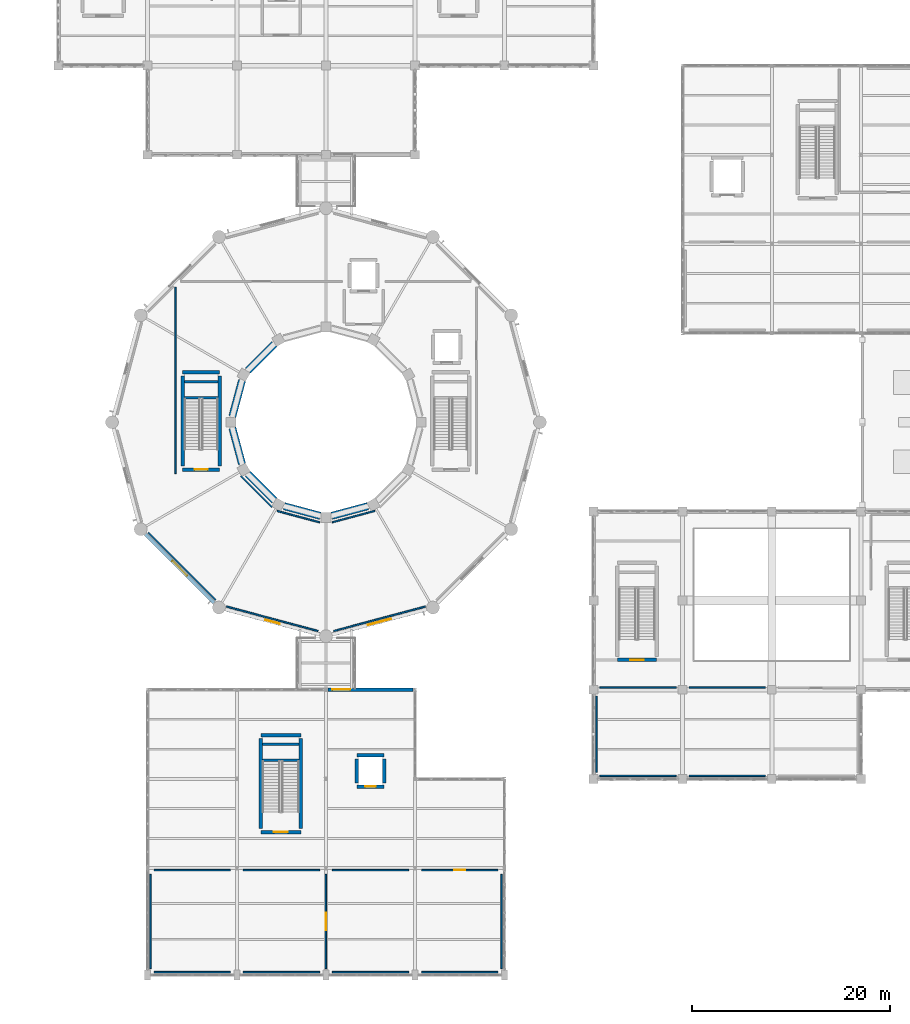
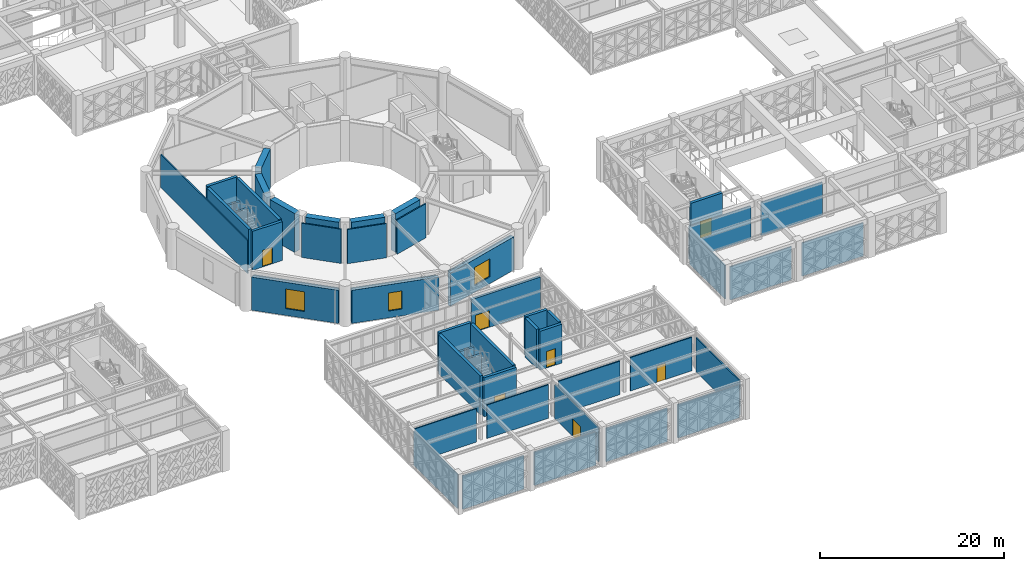
# One storey, part 133 of 155: 50 walls, 7 doors, 3 windows, 10 openings.
"""IFC4 building model written with IfcOpenShell, lengths in metres."""

import ifcopenshell
import ifcopenshell.guid

model = None  # the IFC model being written
_history = None  # IfcOwnerHistory: only IFC2X3 demands one
_inside = {}  # id of a spatial element -> (the spatial element, [elements in it])
_under = {}  # id of a project, library or spatial element -> (it, [spatial elements below it])
_declared = {}  # id of a project -> (the project, [libraries it declares])
_typed = {}  # id of a type object -> (the type object, [elements of that type])
_made_of = {}  # id of a material, layer set ... -> (it, [elements and type objects made of it])


def new_model(schema):
    """Start an empty IFC model of exactly this schema.

    Asked for "IFC4X3", IfcOpenShell would pick the latest addendum, in which some entities
    have other attributes; the version numbers below select the first issue.
    IFC2X3 requires an IfcOwnerHistory on every rooted entity: one is made here for all.
    """
    global model, _history
    if schema == "IFC4X3":
        model = ifcopenshell.file(schema_version=(4, 3, 0, 0))
    else:
        model = ifcopenshell.file(schema=schema)
    _inside.clear()
    _under.clear()
    _declared.clear()
    _typed.clear()
    _made_of.clear()
    _history = None
    if model.schema == "IFC2X3":
        org = make("IfcOrganization", Name="unknown")
        user = make(
            "IfcPersonAndOrganization",
            ThePerson=make("IfcPerson", FamilyName="unknown"),
            TheOrganization=org,
        )
        app = make(
            "IfcApplication",
            ApplicationDeveloper=org,
            Version="unknown",
            ApplicationFullName="unknown",
            ApplicationIdentifier="unknown",
        )
        _history = make(
            "IfcOwnerHistory",
            OwningUser=user,
            OwningApplication=app,
            ChangeAction="ADDED",
            CreationDate=0,
        )
    return model


def make(cls, **values):
    """One entity of the class cls with the attributes given. An attribute that is None is left unset."""
    return model.create_entity(
        cls, **{name: value for name, value in values.items() if value is not None}
    )


def rooted(cls, **values):
    """An entity with a GlobalId (a new one), such as an element, a storey or a relation."""
    return make(cls, GlobalId=ifcopenshell.guid.new(), OwnerHistory=_history, **values)


def si_unit(unit_type, name, prefix=None):
    """IfcSIUnit, for example si_unit("LENGTHUNIT", "METRE", prefix="MILLI")."""
    return make("IfcSIUnit", UnitType=unit_type, Prefix=prefix, Name=name)


def assignment(units):
    """IfcUnitAssignment: the units of a project."""
    return None if units is None else make("IfcUnitAssignment", Units=units)


def point(xyz):
    """IfcCartesianPoint."""
    return None if xyz is None else make("IfcCartesianPoint", Coordinates=xyz)


def direction(xyz):
    """IfcDirection."""
    return None if xyz is None else make("IfcDirection", DirectionRatios=xyz)


def frame(location, z_axis=None, x_axis=None):
    """IfcAxis2Placement3D, a coordinate frame: its origin and axes. An axis left out is left unset."""
    return make(
        "IfcAxis2Placement3D",
        Location=point(location),
        Axis=direction(z_axis),
        RefDirection=direction(x_axis),
    )


def frame_2d(location, x_axis=None):
    """IfcAxis2Placement2D, a coordinate frame in the plane: its origin and x axis."""
    return make(
        "IfcAxis2Placement2D", Location=point(location), RefDirection=direction(x_axis)
    )


def origin():
    """The frame at (0, 0, 0) with its axes left unset."""
    return frame((0.0, 0.0, 0.0))


def place(relative_to, where):
    """IfcLocalPlacement: puts the frame where relative to a parent placement (None: the world)."""
    return make(
        "IfcLocalPlacement", PlacementRelTo=relative_to, RelativePlacement=where
    )


def context(
    kind, dimensions, precision=None, world=None, true_north=None, identifier=None
):
    """IfcGeometricRepresentationContext, for example the 3D "Model" context."""
    return make(
        "IfcGeometricRepresentationContext",
        ContextIdentifier=identifier,
        ContextType=kind,
        CoordinateSpaceDimension=dimensions,
        Precision=precision,
        WorldCoordinateSystem=world,
        TrueNorth=true_north,
    )


def subcontext(parent, identifier, kind, view, scale=None):
    """IfcGeometricRepresentationSubContext, for example "Body" below "Model"."""
    return make(
        "IfcGeometricRepresentationSubContext",
        ContextIdentifier=identifier,
        ContextType=kind,
        ParentContext=parent,
        TargetScale=scale,
        TargetView=view,
    )


def project(units=None, contexts=None):
    """IfcProject with its units and contexts."""
    return rooted(
        "IfcProject",
        Name="project",
        RepresentationContexts=contexts,
        UnitsInContext=assignment(units),
    )


def spatial(cls, under=None, at=None, **own):
    """A site, building, storey or space (cls), placed at a placement, below another one or the project."""
    s = rooted(cls, ObjectPlacement=at, **own)
    if under is not None:
        _under.setdefault(under.id(), (under, []))[1].append(s)
    return s


def profile(cls, at=None, kind="AREA", **sizes):
    """A parametric profile (cls). Its sizes go by their IFC names, for example OverallWidth=200.0."""
    return make(cls, ProfileType=kind, Position=at, **sizes)


def rectangle(**sizes):
    """IfcRectangleProfileDef."""
    return profile("IfcRectangleProfileDef", **sizes)


def extrude(swept, where, along, depth):
    """IfcExtrudedAreaSolid: the profile swept, set in the frame where, extruded along a direction by depth."""
    return make(
        "IfcExtrudedAreaSolid",
        SweptArea=swept,
        Position=where,
        ExtrudedDirection=direction(along),
        Depth=depth,
    )


def shape(context_of_items, identifier, shape_type, items):
    """IfcShapeRepresentation: the items that make up one representation, for example the "Body"."""
    return make(
        "IfcShapeRepresentation",
        ContextOfItems=context_of_items,
        RepresentationIdentifier=identifier,
        RepresentationType=shape_type,
        Items=items,
    )


def material(Name=None, Category=None):
    """IfcMaterial."""
    return make("IfcMaterial", Name=Name, Category=Category)


def layer(
    of_material, thickness, ventilated=None, Name=None, Category=None, Priority=None
):
    """IfcMaterialLayer: one layer of a wall or slab, of a material (None: an air gap)."""
    return make(
        "IfcMaterialLayer",
        Material=of_material,
        LayerThickness=thickness,
        IsVentilated=ventilated,
        Name=Name,
        Category=Category,
        Priority=Priority,
    )


def layer_set(layers, Name=None):
    """IfcMaterialLayerSet."""
    return make("IfcMaterialLayerSet", MaterialLayers=layers, LayerSetName=Name)


def made_of(thing, what):
    """Note that an element or type object is made of a material, layer set ...; save() writes the relation."""
    if what is not None:
        _made_of.setdefault(what.id(), (what, []))[1].append(thing)
    return thing


def type_object(cls, material=None, **own):
    """A type object (cls), such as IfcWallType, which elements share."""
    return made_of(rooted(cls, **own), material)


def element(
    cls,
    number,
    at=None,
    inside=None,
    cuts=None,
    type_object=None,
    material=None,
    context=None,
    identifier="Body",
    shape_type=None,
    held_by="IfcProductDefinitionShape",
    body=None,
    shapes=None,
    **own,
):
    """One element of the class cls, such as IfcWall. Its Tag is "e" and its number.

    at: its placement. inside: the storey or other place that contains it. cuts: it is an
    opening in that element (IfcRelVoidsElement). A single representation is given by context,
    identifier, shape_type and body (its items); several are given by shapes. held_by: the class
    of the entity that holds the representations. save() writes the other relations.
    """
    e = rooted(cls, Tag="e%d" % number, ObjectPlacement=at, **own)
    if body is not None:
        shapes = [shape(context, identifier, shape_type, body)]
    if shapes is not None:
        e.Representation = make(held_by, Representations=shapes)
    if inside is not None:
        _inside.setdefault(inside.id(), (inside, []))[1].append(e)
    if cuts is not None:
        rooted(
            "IfcRelVoidsElement", RelatingBuildingElement=cuts, RelatedOpeningElement=e
        )
    if type_object is not None:
        _typed.setdefault(type_object.id(), (type_object, []))[1].append(e)
    return made_of(e, material)


def fill(opening, filler):
    """IfcRelFillsElement: the door or window that sits in an opening."""
    return rooted(
        "IfcRelFillsElement",
        RelatingOpeningElement=opening,
        RelatedBuildingElement=filler,
    )


def aggregate(whole, parts):
    """IfcRelAggregates: a whole, such as a stair, and the parts it consists of."""
    return rooted("IfcRelAggregates", RelatingObject=whole, RelatedObjects=parts)


def save(model, path):
    """Write the relations noted so far, then the file.

    IfcRelAggregates (storeys below a building ...), IfcRelContainedInSpatialStructure (elements
    in a storey), IfcRelDefinesByType, IfcRelAssociatesMaterial and IfcRelDeclares: one each for
    every whole, place, type object, material and project.
    """
    for whole, parts in _under.values():
        aggregate(whole, parts)
    for where, things in _inside.values():
        rooted(
            "IfcRelContainedInSpatialStructure",
            RelatedElements=things,
            RelatingStructure=where,
        )
    for kind, things in _typed.values():
        rooted("IfcRelDefinesByType", RelatedObjects=things, RelatingType=kind)
    for what, things in _made_of.values():
        rooted("IfcRelAssociatesMaterial", RelatedObjects=things, RelatingMaterial=what)
    for by, libraries in _declared.values():
        rooted("IfcRelDeclares", RelatingContext=by, RelatedDefinitions=libraries)
    model.write(path)


model = new_model("IFC4")

# Units and contexts
model_context = context("Model", 3, precision=1e-05, world=origin(), true_north=direction((0.0, 1.0)))
body_context = subcontext(model_context, "Body", "Model", "MODEL_VIEW")
ifc_project = project(units=[si_unit("LENGTHUNIT", "METRE"), si_unit("AREAUNIT", "SQUARE_METRE"), si_unit("VOLUMEUNIT", "CUBIC_METRE"), si_unit("PLANEANGLEUNIT", "RADIAN"), si_unit("MASSUNIT", "GRAM", prefix="KILO")], contexts=[model_context])

# Site, building, storey
site_placement = place(None, origin())
site = spatial("IfcSite", under=ifc_project, at=site_placement, CompositionType="ELEMENT")
building_placement = place(site_placement, origin())
building = spatial("IfcBuilding", under=site, at=building_placement, Name="Haizhuo Lancet Aquarium", CompositionType="ELEMENT")
storey_placement = place(building_placement, frame((0.0, 0.0, 10.800048828125)))
storey = spatial("IfcBuildingStorey", under=building, at=storey_placement, Name="L02", CompositionType="ELEMENT", Elevation=10.800048828125)

# Wall, opening, door
ifc_material_1 = material(Name="Shandong Grey Limestone Ashlar", Category="masonry")
ifc_layer_1 = layer(ifc_material_1, 0.320068359375)
ifc_layer_set_1 = layer_set([ifc_layer_1], Name="Shandong Grey Limestone Ashlar")
wall_type_1 = type_object("IfcWallType", Name="EWL-ASH-320", PredefinedType="SOLIDWALL", material=ifc_layer_set_1)
wall_1_placement = place(storey_placement, frame((0.195068359375, -27.0, 0.0), z_axis=(0.0, 0.0, 1.0), x_axis=(1.0, 0.0, 0.0)))
wall_1 = element("IfcWall", 1, at=wall_1_placement, inside=storey, type_object=wall_type_1, Name="L02 V4 sky-bridge portal wall", PredefinedType="SOLIDWALL", context=body_context, shape_type="SweptSolid", body=[
    extrude(rectangle(XDim=8.60986328125, YDim=0.320068359375, at=frame_2d((4.304931640625, 0.0))), origin(), (0.0, 0.0, 1.0), 4.447021484375),
])
opening_1_placement = place(wall_1_placement, frame((0.455078125, 0.0, 0.0)))
opening_1 = element("IfcOpeningElement", 2, at=opening_1_placement, cuts=wall_1, Name="Opening EX-01", PredefinedType="OPENING", context=body_context, shape_type="SweptSolid", body=[
    extrude(rectangle(XDim=1.800048828125, YDim=2.199951171875, at=frame_2d((0.89990234375, 1.10009765625))), frame((0.0, 0.169921875, 0.0), z_axis=(0.0, -1.0, 0.0), x_axis=(1.0, 0.0, 0.0)), (0.0, 0.0, 1.0), 0.340068),
])
ifc_material_2 = material(Name="Steel S355", Category="steel")
door_type_1 = type_object("IfcDoorType", Name="EDR-EXIT-1800x2200", OperationType="NOTDEFINED", PredefinedType="DOOR", material=ifc_material_2)
door_1_placement = place(opening_1_placement, origin())
door_1 = element("IfcDoor", 3, at=door_1_placement, inside=storey, type_object=door_type_1, Name="L02 V4 sky-bridge vestibule fire door", OperationType="DOUBLE_DOOR_SINGLE_SWING", OverallHeight=2.199951171875, OverallWidth=1.800048828125, PredefinedType="DOOR", context=body_context, shape_type="SweptSolid", body=[
    extrude(rectangle(XDim=1.800048828125, YDim=2.199951171875, at=frame_2d((0.89990234375, 1.10009765625))), frame((0.0, 0.02490234375, 0.0), z_axis=(0.0, -1.0, 0.0), x_axis=(1.0, 0.0, 0.0)), (0.0, 0.0, 1.0), 0.050048828125),
])
fill(opening_1, door_1)

# Wall, opening, window
ifc_layer_2 = layer(ifc_material_1, 0.360107421875)
ifc_layer_set_2 = layer_set([ifc_layer_2], Name="Shandong Grey Limestone Ashlar")
wall_type_2 = type_object("IfcWallType", Name="EWL-ASH-360", PredefinedType="SOLIDWALL", material=ifc_layer_set_2)
wall_2_placement = place(storey_placement, frame((-11.291015625, -18.215087890625, 0.0), z_axis=(0.0, 0.0, 1.0), x_axis=(-0.707106781187, 0.707106781187, 0.0)))
wall_2 = element("IfcWall", 4, at=wall_2_placement, inside=storey, type_object=wall_type_2, Name="L02 V1 limestone drum wall bay 8", PredefinedType="SOLIDWALL", context=body_context, shape_type="SweptSolid", body=[
    extrude(rectangle(XDim=9.792236328125, YDim=0.360107421875, at=frame_2d((4.89599609375, 0.0))), origin(), (0.0, 0.0, 1.0), 4.39501953125),
])
opening_2_placement = place(wall_2_placement, frame((3.845947265625, 0.0, 0.89990234375)))
opening_2 = element("IfcOpeningElement", 5, at=opening_2_placement, cuts=wall_2, Name="Opening WN-07", PredefinedType="OPENING", context=body_context, shape_type="SweptSolid", body=[
    extrude(rectangle(XDim=2.10009765625, YDim=2.60009765625, at=frame_2d((1.050048828125, 1.300048828125))), frame((0.0, 0.18994140625, 0.0), z_axis=(0.0, -1.0, 0.0), x_axis=(1.0, 0.0, 0.0)), (0.0, 0.0, 1.0), 0.380107),
])
ifc_material_3 = material(Name="Laminated Low-E Glass", Category="glass")
window_type_1 = type_object("IfcWindowType", Name="WIN-LAN-2100x2600", PartitioningType="SINGLE_PANEL", PredefinedType="WINDOW", material=ifc_material_3)
window_1_placement = place(opening_2_placement, origin())
window_1 = element("IfcWindow", 6, at=window_1_placement, inside=storey, type_object=window_type_1, Name="L02 Gothic lancet window 28", OverallHeight=2.60009765625, OverallWidth=2.10009765625, PartitioningType="SINGLE_PANEL", PredefinedType="WINDOW", context=body_context, shape_type="SweptSolid", body=[
    extrude(rectangle(XDim=2.10009765625, YDim=2.60009765625, at=frame_2d((1.050048828125, 1.300048828125))), frame((0.0, 0.030029296875, 0.0), z_axis=(0.0, -1.0, 0.0), x_axis=(1.0, 0.0, 0.0)), (0.0, 0.0, 1.0), 0.06005859375),
])
fill(opening_2, window_1)

wall_3_placement = place(storey_placement, frame((-0.6708984375, -21.419921875, 0.0), z_axis=(0.0, 0.0, 1.0), x_axis=(-0.965934251614, 0.258787599316, 0.0)))
wall_3 = element("IfcWall", 7, at=wall_3_placement, inside=storey, type_object=wall_type_2, Name="L02 V1 limestone drum wall bay 9", PredefinedType="SOLIDWALL", context=body_context, shape_type="SweptSolid", body=[
    extrude(rectangle(XDim=9.79150390625, YDim=0.360107421875, at=frame_2d((4.895751953125, 0.0))), origin(), (0.0, 0.0, 1.0), 4.39501953125),
])
opening_3_placement = place(wall_3_placement, frame((4.14599609375, 0.0, 0.89990234375)))
opening_3 = element("IfcOpeningElement", 8, at=opening_3_placement, cuts=wall_3, Name="Opening WN-04", PredefinedType="OPENING", context=body_context, shape_type="SweptSolid", body=[
    extrude(rectangle(XDim=1.5, YDim=2.39990234375, at=frame_2d((0.75, 1.199951171875))), frame((0.0, 0.18994140625, 0.0), z_axis=(0.0, -1.0, 0.0), x_axis=(1.0, 0.0, 0.0)), (0.0, 0.0, 1.0), 0.380107),
])
window_type_2 = type_object("IfcWindowType", Name="WIN-LAN-1500x2400", PartitioningType="SINGLE_PANEL", PredefinedType="WINDOW", material=ifc_material_3)
window_2_placement = place(opening_3_placement, origin())
window_2 = element("IfcWindow", 9, at=window_2_placement, inside=storey, type_object=window_type_2, Name="L02 Gothic lancet window 29", OverallHeight=2.39990234375, OverallWidth=1.5, PartitioningType="SINGLE_PANEL", PredefinedType="WINDOW", context=body_context, shape_type="SweptSolid", body=[
    extrude(rectangle(XDim=1.5, YDim=2.39990234375, at=frame_2d((0.75, 1.199951171875))), frame((0.0, 0.030029296875, 0.0), z_axis=(0.0, -1.0, 0.0), x_axis=(1.0, 0.0, 0.0)), (0.0, 0.0, 1.0), 0.06005859375),
])
fill(opening_3, window_2)

wall_4_placement = place(storey_placement, frame((10.12890625, -18.885986328125, 0.0), z_axis=(0.0, 0.0, 1.0), x_axis=(-0.965934251614, -0.258787599316, 0.0)))
wall_4 = element("IfcWall", 10, at=wall_4_placement, inside=storey, type_object=wall_type_2, Name="L02 V1 limestone drum wall bay 10", PredefinedType="SOLIDWALL", context=body_context, shape_type="SweptSolid", body=[
    extrude(rectangle(XDim=9.79150390625, YDim=0.360107421875, at=frame_2d((4.895751953125, 0.0))), origin(), (0.0, 0.0, 1.0), 4.39501953125),
])
opening_4_placement = place(wall_4_placement, frame((3.696044921875, 0.0, 0.89990234375)))
opening_4 = element("IfcOpeningElement", 11, at=opening_4_placement, cuts=wall_4, Name="Opening WN-08", PredefinedType="OPENING", context=body_context, shape_type="SweptSolid", body=[
    extrude(rectangle(XDim=2.39990234375, YDim=2.39990234375, at=frame_2d((1.199951171875, 1.199951171875))), frame((0.0, 0.18994140625, 0.0), z_axis=(0.0, -1.0, 0.0), x_axis=(1.0, 0.0, 0.0)), (0.0, 0.0, 1.0), 0.380107),
])
window_type_3 = type_object("IfcWindowType", Name="WIN-LAN-2400x2400", PartitioningType="SINGLE_PANEL", PredefinedType="WINDOW", material=ifc_material_3)
window_3_placement = place(opening_4_placement, origin())
window_3 = element("IfcWindow", 12, at=window_3_placement, inside=storey, type_object=window_type_3, Name="L02 Gothic lancet window 30", OverallHeight=2.39990234375, OverallWidth=2.39990234375, PartitioningType="SINGLE_PANEL", PredefinedType="WINDOW", context=body_context, shape_type="SweptSolid", body=[
    extrude(rectangle(XDim=2.39990234375, YDim=2.39990234375, at=frame_2d((1.199951171875, 1.199951171875))), frame((0.0, 0.030029296875, 0.0), z_axis=(0.0, -1.0, 0.0), x_axis=(1.0, 0.0, 0.0)), (0.0, 0.0, 1.0), 0.06005859375),
])
fill(opening_4, window_3)

# Walls
ifc_material_4 = material(Name="Gypsum Fireboard Partition")
ifc_layer_3 = layer(ifc_material_4, 0.14990234375)
ifc_layer_set_3 = layer_set([ifc_layer_3], Name="Gypsum Fireboard Partition")
wall_type_3 = type_object("IfcWallType", Name="IWL-STD-150", PredefinedType="PARTITIONING", material=ifc_layer_set_3)
wall_5_placement = place(storey_placement, frame((-17.946044921875, -11.135009765625, 0.0), z_axis=(0.0, 0.0, 1.0), x_axis=(0.707056083443, -0.707157475295, 0.0)))
element("IfcWall", 13, at=wall_5_placement, inside=storey, type_object=wall_type_3, Name="L02 partition wall 349", PredefinedType="PARTITIONING", context=body_context, shape_type="SweptSolid", body=[
    extrude(rectangle(XDim=9.631591796875, YDim=0.14990234375, at=frame_2d((4.81591796875, 0.0))), origin(), (0.0, 0.0, 1.0), 4.39501953125),
])
wall_6_placement = place(storey_placement, frame((-10.0400390625, -18.59912109375, 0.0), z_axis=(0.0, 0.0, 1.0), x_axis=(0.965936310931, -0.258779912716, 0.0)))
element("IfcWall", 14, at=wall_6_placement, inside=storey, type_object=wall_type_3, Name="L02 partition wall 350", PredefinedType="PARTITIONING", context=body_context, shape_type="SweptSolid", body=[
    extrude(rectangle(XDim=9.559814453125, YDim=0.14990234375, at=frame_2d((4.77978515625, 0.0))), origin(), (0.0, 0.0, 1.0), 4.39501953125),
])
wall_7_placement = place(storey_placement, frame((0.787109375, -21.076904296875, 0.0), z_axis=(0.0, 0.0, 1.0), x_axis=(0.965965793981, 0.258669837549, 0.0)))
element("IfcWall", 15, at=wall_7_placement, inside=storey, type_object=wall_type_3, Name="L02 partition wall 351", PredefinedType="PARTITIONING", context=body_context, shape_type="SweptSolid", body=[
    extrude(rectangle(XDim=9.578857421875, YDim=0.14990234375, at=frame_2d((4.78955078125, 0.0))), origin(), (0.0, 0.0, 1.0), 4.39501953125),
])
for number, where, z_axis, x_axis, name in (
    (16, (4.922119140625, -8.9541015625, 0.0), (0.0, 0.0, 1.0), (-0.965895929323, -0.258930596333, 0.0), "L02 partition wall 358"),
    (17, (-0.639892578125, -10.10205078125, 0.0), (0.0, 0.0, 1.0), (-0.965895929323, 0.258930596333, 0.0), "L02 partition wall 359"),
):
    element("IfcWall", number, at=place(storey_placement, frame(where, z_axis=z_axis, x_axis=x_axis)), inside=storey, type_object=wall_type_3, Name=name, PredefinedType="PARTITIONING", context=body_context, shape_type="SweptSolid", body=[
        extrude(rectangle(XDim=4.433349609375, YDim=0.14990234375, at=frame_2d((2.216796875, 0.0))), origin(), (0.0, 0.0, 1.0), 4.544921875),
    ])
wall_8_placement = place(storey_placement, frame((-5.43994140625, -8.593017578125, 0.0), z_axis=(0.0, 0.0, 1.0), x_axis=(-0.707106781187, 0.707106781187, 0.0)))
element("IfcWall", 18, at=wall_8_placement, inside=storey, type_object=wall_type_3, Name="L02 partition wall 360", PredefinedType="PARTITIONING", context=body_context, shape_type="SweptSolid", body=[
    extrude(rectangle(XDim=4.459228515625, YDim=0.14990234375, at=frame_2d((2.2294921875, 0.0))), origin(), (0.0, 0.0, 1.0), 4.544921875),
])
wall_9_placement = place(storey_placement, frame((-15.199951171875, -5.199951171875, 0.0), z_axis=(0.0, 0.0, 1.0), x_axis=(0.0, 1.0, 0.0)))
element("IfcWall", 19, at=wall_9_placement, inside=storey, type_object=wall_type_3, Name="L02 partition wall 361", PredefinedType="PARTITIONING", context=body_context, shape_type="SweptSolid", body=[
    extrude(rectangle(XDim=18.83984375, YDim=0.14990234375, at=frame_2d((9.419921875, 0.0))), origin(), (0.0, 0.0, 1.0), 4.39501953125),
])
wall_10_placement = place(storey_placement, frame((27.300048828125, -27.64990234375, 0.0), z_axis=(0.0, 0.0, 1.0), x_axis=(0.0, -1.0, 0.0)))
element("IfcWall", 20, at=wall_10_placement, inside=storey, type_object=wall_type_3, Name="L02 partition wall 376", PredefinedType="PARTITIONING", context=body_context, shape_type="SweptSolid", body=[
    extrude(rectangle(XDim=7.7001953125, YDim=0.14990234375, at=frame_2d((3.85009765625, 0.0))), origin(), (0.0, 0.0, 1.0), 4.445068359375),
])
wall_11_placement = place(storey_placement, frame((27.639892578125, -35.696044921875, 0.0), z_axis=(0.0, 0.0, 1.0), x_axis=(0.999999871661, -0.00050663367, 0.0)))
element("IfcWall", 21, at=wall_11_placement, inside=storey, type_object=wall_type_3, Name="L02 partition wall 377", PredefinedType="PARTITIONING", context=body_context, shape_type="SweptSolid", body=[
    extrude(rectangle(XDim=7.710205078125, YDim=0.14990234375, at=frame_2d((3.85498046875, 0.0))), origin(), (0.0, 0.0, 1.0), 4.39501953125),
])
wall_12_placement = place(storey_placement, frame((36.64990234375, -35.699951171875, 0.0), z_axis=(0.0, 0.0, 1.0), x_axis=(1.0, 0.0, 0.0)))
element("IfcWall", 22, at=wall_12_placement, inside=storey, type_object=wall_type_3, Name="L02 partition wall 378", PredefinedType="PARTITIONING", context=body_context, shape_type="SweptSolid", body=[
    extrude(rectangle(XDim=7.7001953125, YDim=0.14990234375, at=frame_2d((3.85009765625, 0.0))), origin(), (0.0, 0.0, 1.0), 4.39501953125),
])
for number, where, z_axis, x_axis, name in (
    (23, (44.360107421875, -26.800048828125, 0.0), (0.0, 0.0, 1.0), (-1.0, 0.0, 0.0), "L02 partition wall 382"),
    (24, (35.360107421875, -26.800048828125, 0.0), (0.0, 0.0, 1.0), (-1.0, 0.0, 0.0), "L02 partition wall 383"),
):
    element("IfcWall", number, at=place(storey_placement, frame(where, z_axis=z_axis, x_axis=x_axis)), inside=storey, type_object=wall_type_3, Name=name, PredefinedType="PARTITIONING", context=body_context, shape_type="SweptSolid", body=[
        extrude(rectangle(XDim=7.710205078125, YDim=0.14990234375, at=frame_2d((3.85498046875, 0.0))), origin(), (0.0, 0.0, 1.0), 4.39501953125),
    ])
for number, where, z_axis, x_axis, name in (
    (25, (-17.35009765625, -55.5, 0.0), (0.0, 0.0, 1.0), (1.0, 0.0, 0.0), "L02 partition wall 384"),
    (26, (-8.35009765625, -55.5, 0.0), (0.0, 0.0, 1.0), (1.0, 0.0, 0.0), "L02 partition wall 385"),
):
    element("IfcWall", number, at=place(storey_placement, frame(where, z_axis=z_axis, x_axis=x_axis)), inside=storey, type_object=wall_type_3, Name=name, PredefinedType="PARTITIONING", context=body_context, shape_type="SweptSolid", body=[
        extrude(rectangle(XDim=7.7001953125, YDim=0.14990234375, at=frame_2d((3.85009765625, 0.0))), origin(), (0.0, 0.0, 1.0), 4.447021484375),
    ])

# Wall, opening, door
wall_13_placement = place(storey_placement, frame((0.0, -55.14990234375, 0.0), z_axis=(0.0, 0.0, 1.0), x_axis=(0.0, 1.0, 0.0)))
wall_13 = element("IfcWall", 27, at=wall_13_placement, inside=storey, type_object=wall_type_3, Name="L02 partition wall 386", PredefinedType="PARTITIONING", context=body_context, shape_type="SweptSolid", body=[
    extrude(rectangle(XDim=9.5, YDim=0.14990234375, at=frame_2d((4.75, 0.0))), origin(), (0.0, 0.0, 1.0), 4.534912109375),
])
opening_5_placement = place(wall_13_placement, frame((3.85009765625, 0.0, 0.0)))
opening_5 = element("IfcOpeningElement", 28, at=opening_5_placement, cuts=wall_13, Name="Opening D-02", PredefinedType="OPENING", context=body_context, shape_type="SweptSolid", body=[
    extrude(rectangle(XDim=1.800048828125, YDim=2.300048828125, at=frame_2d((0.89990234375, 1.14990234375))), frame((0.0, 0.0849609375, 0.0), z_axis=(0.0, -1.0, 0.0), x_axis=(1.0, 0.0, 0.0)), (0.0, 0.0, 1.0), 0.169902),
])
ifc_material_5 = material(Name="Aluminium 6063-T6", Category="aluminium")
door_type_2 = type_object("IfcDoorType", Name="IDR-GAL-1800x2300", OperationType="NOTDEFINED", PredefinedType="DOOR", material=ifc_material_5)
door_2_placement = place(opening_5_placement, origin())
door_2 = element("IfcDoor", 29, at=door_2_placement, inside=storey, type_object=door_type_2, Name="L02 Estuarine Canopy Exhibit Gallery door", OperationType="DOUBLE_DOOR_SINGLE_SWING", OverallHeight=2.300048828125, OverallWidth=1.800048828125, PredefinedType="DOOR", context=body_context, shape_type="SweptSolid", body=[
    extrude(rectangle(XDim=1.800048828125, YDim=2.300048828125, at=frame_2d((0.89990234375, 1.14990234375))), frame((0.0, 0.02490234375, 0.0), z_axis=(0.0, -1.0, 0.0), x_axis=(1.0, 0.0, 0.0)), (0.0, 0.0, 1.0), 0.050048828125),
])
fill(opening_5, door_2)

# Walls
for number, where, z_axis, x_axis, name in (
    (30, (-0.64990234375, -45.199951171875, 0.0), (0.0, 0.0, 1.0), (-1.0, 0.0, 0.0), "L02 partition wall 387"),
    (31, (-9.64990234375, -45.199951171875, 0.0), (0.0, 0.0, 1.0), (-1.0, 0.0, 0.0), "L02 partition wall 388"),
):
    element("IfcWall", number, at=place(storey_placement, frame(where, z_axis=z_axis, x_axis=x_axis)), inside=storey, type_object=wall_type_3, Name=name, PredefinedType="PARTITIONING", context=body_context, shape_type="SweptSolid", body=[
        extrude(rectangle(XDim=7.7001953125, YDim=0.14990234375, at=frame_2d((3.85009765625, 0.0))), origin(), (0.0, 0.0, 1.0), 4.447021484375),
    ])
wall_14_placement = place(storey_placement, frame((-17.699951171875, -45.64990234375, 0.0), z_axis=(0.0, 0.0, 1.0), x_axis=(0.0, -1.0, 0.0)))
element("IfcWall", 32, at=wall_14_placement, inside=storey, type_object=wall_type_3, Name="L02 partition wall 389", PredefinedType="PARTITIONING", context=body_context, shape_type="SweptSolid", body=[
    extrude(rectangle(XDim=9.5, YDim=0.14990234375, at=frame_2d((4.75, 0.0))), origin(), (0.0, 0.0, 1.0), 4.534912109375),
])
for number, where, z_axis, x_axis, name in (
    (33, (0.64990234375, -55.5, 0.0), (0.0, 0.0, 1.0), (1.0, 0.0, 0.0), "L02 partition wall 390"),
    (34, (9.64990234375, -55.5, 0.0), (0.0, 0.0, 1.0), (1.0, 0.0, 0.0), "L02 partition wall 391"),
):
    element("IfcWall", number, at=place(storey_placement, frame(where, z_axis=z_axis, x_axis=x_axis)), inside=storey, type_object=wall_type_3, Name=name, PredefinedType="PARTITIONING", context=body_context, shape_type="SweptSolid", body=[
        extrude(rectangle(XDim=7.7001953125, YDim=0.14990234375, at=frame_2d((3.85009765625, 0.0))), origin(), (0.0, 0.0, 1.0), 4.447021484375),
    ])
wall_15_placement = place(storey_placement, frame((17.699951171875, -55.14990234375, 0.0), z_axis=(0.0, 0.0, 1.0), x_axis=(0.0, 1.0, 0.0)))
element("IfcWall", 35, at=wall_15_placement, inside=storey, type_object=wall_type_3, Name="L02 partition wall 392", PredefinedType="PARTITIONING", context=body_context, shape_type="SweptSolid", body=[
    extrude(rectangle(XDim=9.5, YDim=0.14990234375, at=frame_2d((4.75, 0.0))), origin(), (0.0, 0.0, 1.0), 4.534912109375),
])

# Wall, opening, door
wall_16_placement = place(storey_placement, frame((17.35009765625, -45.199951171875, 0.0), z_axis=(0.0, 0.0, 1.0), x_axis=(-1.0, 0.0, 0.0)))
wall_16 = element("IfcWall", 36, at=wall_16_placement, inside=storey, type_object=wall_type_3, Name="L02 partition wall 393", PredefinedType="PARTITIONING", context=body_context, shape_type="SweptSolid", body=[
    extrude(rectangle(XDim=7.7001953125, YDim=0.14990234375, at=frame_2d((3.85009765625, 0.0))), origin(), (0.0, 0.0, 1.0), 4.447021484375),
])
opening_6_placement = place(wall_16_placement, frame((3.300048828125, 0.0, 0.0)))
opening_6 = element("IfcOpeningElement", 37, at=opening_6_placement, cuts=wall_16, Name="Opening D-05", PredefinedType="OPENING", context=body_context, shape_type="SweptSolid", body=[
    extrude(rectangle(XDim=1.10009765625, YDim=2.14990234375, at=frame_2d((0.550048828125, 1.074951171875))), frame((0.0, 0.0849609375, 0.0), z_axis=(0.0, -1.0, 0.0), x_axis=(1.0, 0.0, 0.0)), (0.0, 0.0, 1.0), 0.169902),
])
door_type_3 = type_object("IfcDoorType", Name="IDR-CLS-1100x2150", OperationType="NOTDEFINED", PredefinedType="DOOR", material=ifc_material_5)
door_3_placement = place(opening_6_placement, origin())
door_3 = element("IfcDoor", 38, at=door_3_placement, inside=storey, type_object=door_type_3, Name="L02 Marine Conservation Reading Lounge door", OperationType="SINGLE_SWING_LEFT", OverallHeight=2.14990234375, OverallWidth=1.10009765625, PredefinedType="DOOR", context=body_context, shape_type="SweptSolid", body=[
    extrude(rectangle(XDim=1.10009765625, YDim=2.14990234375, at=frame_2d((0.550048828125, 1.074951171875))), frame((0.0, 0.02490234375, 0.0), z_axis=(0.0, -1.0, 0.0), x_axis=(1.0, 0.0, 0.0)), (0.0, 0.0, 1.0), 0.050048828125),
])
fill(opening_6, door_3)

# Walls
wall_17_placement = place(storey_placement, frame((8.35009765625, -45.199951171875, 0.0), z_axis=(0.0, 0.0, 1.0), x_axis=(-1.0, 0.0, 0.0)))
element("IfcWall", 39, at=wall_17_placement, inside=storey, type_object=wall_type_3, Name="L02 partition wall 394", PredefinedType="PARTITIONING", context=body_context, shape_type="SweptSolid", body=[
    extrude(rectangle(XDim=7.7001953125, YDim=0.14990234375, at=frame_2d((3.85009765625, 0.0))), origin(), (0.0, 0.0, 1.0), 4.447021484375),
])
ifc_material_6 = material(Name="Concrete C40/50", Category="concrete")
ifc_layer_4 = layer(ifc_material_6, 0.35009765625)
ifc_layer_set_4 = layer_set([ifc_layer_4], Name="Concrete C40/50")
wall_type_4 = type_object("IfcWallType", Name="WL-CORE-350", PredefinedType="SHEAR", material=ifc_layer_set_4)
for number, where, z_axis, x_axis, name in (
    (40, (-14.300048828125, 2.47509765625, 0.0), (0.0, 0.0, 1.0), (1.0, 0.0, 0.0), "L02 ST-01 landing support wall"),
    (41, (-14.300048828125, 4.074951171875, 0.0), (0.0, 0.0, 1.0), (1.0, 0.0, 0.0), "L02 ST-01 far landing support wall"),
):
    element("IfcWall", number, at=place(storey_placement, frame(where, z_axis=z_axis, x_axis=x_axis)), inside=storey, type_object=wall_type_4, Name=name, PredefinedType="SHEAR", context=body_context, shape_type="SweptSolid", body=[
        extrude(rectangle(XDim=3.400146484375, YDim=0.25, at=frame_2d((1.7001953125, 0.0))), origin(), (0.0, 0.0, 1.0), 2.5),
    ])

# Wall, opening, door
wall_18_placement = place(storey_placement, frame((-14.47509765625, -4.77490234375, 0.0), z_axis=(0.0, 0.0, 1.0), x_axis=(1.0, 0.0, 0.0)))
wall_18 = element("IfcWall", 42, at=wall_18_placement, inside=storey, type_object=wall_type_4, Name="L02 ST-01 core shear wall S", PredefinedType="SHEAR", context=body_context, shape_type="SweptSolid", body=[
    extrude(rectangle(XDim=3.75, YDim=0.35009765625, at=frame_2d((1.875, 0.0))), origin(), (0.0, 0.0, 1.0), 5.159912109375),
])
opening_7_placement = place(wall_18_placement, frame((1.22509765625, 0.0, 0.0)))
opening_7 = element("IfcOpeningElement", 43, at=opening_7_placement, cuts=wall_18, Name="Opening FD-02", PredefinedType="OPENING", context=body_context, shape_type="SweptSolid", body=[
    extrude(rectangle(XDim=1.300048828125, YDim=2.199951171875, at=frame_2d((0.64990234375, 1.10009765625))), frame((0.0, 0.18505859375, 0.0), z_axis=(0.0, -1.0, 0.0), x_axis=(1.0, 0.0, 0.0)), (0.0, 0.0, 1.0), 0.370098),
])
door_type_4 = type_object("IfcDoorType", Name="IDR-STAIR-1300x2200", OperationType="NOTDEFINED", PredefinedType="DOOR", material=ifc_material_2)
door_4_placement = place(opening_7_placement, origin())
door_4 = element("IfcDoor", 44, at=door_4_placement, inside=storey, type_object=door_type_4, Name="L02 ST-01 stairwell fire door", OperationType="SINGLE_SWING_RIGHT", OverallHeight=2.199951171875, OverallWidth=1.300048828125, PredefinedType="DOOR", context=body_context, shape_type="SweptSolid", body=[
    extrude(rectangle(XDim=1.300048828125, YDim=2.199951171875, at=frame_2d((0.64990234375, 1.10009765625))), frame((0.0, 0.02490234375, 0.0), z_axis=(0.0, -1.0, 0.0), x_axis=(1.0, 0.0, 0.0)), (0.0, 0.0, 1.0), 0.050048828125),
])
fill(opening_7, door_4)

# Walls
wall_19_placement = place(storey_placement, frame((-14.47509765625, 5.02490234375, 0.0), z_axis=(0.0, 0.0, 1.0), x_axis=(1.0, 0.0, 0.0)))
element("IfcWall", 45, at=wall_19_placement, inside=storey, type_object=wall_type_4, Name="L02 ST-01 core shear wall N", PredefinedType="SHEAR", context=body_context, shape_type="SweptSolid", body=[
    extrude(rectangle(XDim=3.75, YDim=0.35009765625, at=frame_2d((1.875, 0.0))), origin(), (0.0, 0.0, 1.0), 5.159912109375),
])
for number, where, z_axis, x_axis, name in (
    (46, (-14.47509765625, -4.425048828125, 0.0), (0.0, 0.0, 1.0), (0.0, 1.0, 0.0), "L02 ST-01 core shear wall W"),
    (47, (-10.72509765625, -4.425048828125, 0.0), (0.0, 0.0, 1.0), (0.0, 1.0, 0.0), "L02 ST-01 core shear wall E"),
):
    element("IfcWall", number, at=place(storey_placement, frame(where, z_axis=z_axis, x_axis=x_axis)), inside=storey, type_object=wall_type_4, Name=name, PredefinedType="SHEAR", context=body_context, shape_type="SweptSolid", body=[
        extrude(rectangle(XDim=9.10009765625, YDim=0.35009765625, at=frame_2d((4.550048828125, 0.0))), origin(), (0.0, 0.0, 1.0), 5.159912109375),
    ])

# Wall, opening, door
wall_20_placement = place(storey_placement, frame((29.425048828125, -23.97509765625, 0.0), z_axis=(0.0, 0.0, 1.0), x_axis=(1.0, 0.0, 0.0)))
wall_20 = element("IfcWall", 48, at=wall_20_placement, inside=storey, type_object=wall_type_4, Name="L02 ST-04 core shear wall S", PredefinedType="SHEAR", context=body_context, shape_type="SweptSolid", body=[
    extrude(rectangle(XDim=3.949951171875, YDim=0.35009765625, at=frame_2d((1.97509765625, 0.0))), origin(), (0.0, 0.0, 1.0), 5.159912109375),
])
opening_8_placement = place(wall_20_placement, frame((1.27490234375, 0.0, 0.0)))
opening_8 = element("IfcOpeningElement", 49, at=opening_8_placement, cuts=wall_20, Name="Opening FD-01", PredefinedType="OPENING", context=body_context, shape_type="SweptSolid", body=[
    extrude(rectangle(XDim=1.39990234375, YDim=2.199951171875, at=frame_2d((0.699951171875, 1.10009765625))), frame((0.0, 0.18505859375, 0.0), z_axis=(0.0, -1.0, 0.0), x_axis=(1.0, 0.0, 0.0)), (0.0, 0.0, 1.0), 0.370098),
])
door_type_5 = type_object("IfcDoorType", Name="IDR-STAIR-1400x2200", OperationType="NOTDEFINED", PredefinedType="DOOR", material=ifc_material_2)
door_5_placement = place(opening_8_placement, origin())
door_5 = element("IfcDoor", 50, at=door_5_placement, inside=storey, type_object=door_type_5, Name="L02 ST-04 stairwell fire door", OperationType="SINGLE_SWING_LEFT", OverallHeight=2.199951171875, OverallWidth=1.39990234375, PredefinedType="DOOR", context=body_context, shape_type="SweptSolid", body=[
    extrude(rectangle(XDim=1.39990234375, YDim=2.199951171875, at=frame_2d((0.699951171875, 1.10009765625))), frame((0.0, 0.02490234375, 0.0), z_axis=(0.0, -1.0, 0.0), x_axis=(1.0, 0.0, 0.0)), (0.0, 0.0, 1.0), 0.050048828125),
])
fill(opening_8, door_5)

# Walls
for number, where, z_axis, x_axis, name in (
    (51, (-6.39990234375, -34.125, 0.0), (0.0, 0.0, 1.0), (1.0, 0.0, 0.0), "L02 ST-06 landing support wall"),
    (52, (-6.39990234375, -32.52490234375, 0.0), (0.0, 0.0, 1.0), (1.0, 0.0, 0.0), "L02 ST-06 far landing support wall"),
):
    element("IfcWall", number, at=place(storey_placement, frame(where, z_axis=z_axis, x_axis=x_axis)), inside=storey, type_object=wall_type_4, Name=name, PredefinedType="SHEAR", context=body_context, shape_type="SweptSolid", body=[
        extrude(rectangle(XDim=3.699951171875, YDim=0.25, at=frame_2d((1.85009765625, 0.0))), origin(), (0.0, 0.0, 1.0), 2.5),
    ])

# Wall, opening, door
wall_21_placement = place(storey_placement, frame((-6.574951171875, -41.375, 0.0), z_axis=(0.0, 0.0, 1.0), x_axis=(1.0, 0.0, 0.0)))
wall_21 = element("IfcWall", 53, at=wall_21_placement, inside=storey, type_object=wall_type_4, Name="L02 ST-06 core shear wall S", PredefinedType="SHEAR", context=body_context, shape_type="SweptSolid", body=[
    extrude(rectangle(XDim=4.050048828125, YDim=0.35009765625, at=frame_2d((2.02490234375, 0.0))), origin(), (0.0, 0.0, 1.0), 5.159912109375),
])
opening_9_placement = place(wall_21_placement, frame((1.324951171875, 0.0, 0.0)))
opening_9 = element("IfcOpeningElement", 54, at=opening_9_placement, cuts=wall_21, Name="Opening FD-01", PredefinedType="OPENING", context=body_context, shape_type="SweptSolid", body=[
    extrude(rectangle(XDim=1.39990234375, YDim=2.199951171875, at=frame_2d((0.699951171875, 1.10009765625))), frame((0.0, 0.18505859375, 0.0), z_axis=(0.0, -1.0, 0.0), x_axis=(1.0, 0.0, 0.0)), (0.0, 0.0, 1.0), 0.370098),
])
door_6_placement = place(opening_9_placement, origin())
door_6 = element("IfcDoor", 55, at=door_6_placement, inside=storey, type_object=door_type_5, Name="L02 ST-06 stairwell fire door", OperationType="SINGLE_SWING_LEFT", OverallHeight=2.199951171875, OverallWidth=1.39990234375, PredefinedType="DOOR", context=body_context, shape_type="SweptSolid", body=[
    extrude(rectangle(XDim=1.39990234375, YDim=2.199951171875, at=frame_2d((0.699951171875, 1.10009765625))), frame((0.0, 0.02490234375, 0.0), z_axis=(0.0, -1.0, 0.0), x_axis=(1.0, 0.0, 0.0)), (0.0, 0.0, 1.0), 0.050048828125),
])
fill(opening_9, door_6)

# Walls
wall_22_placement = place(storey_placement, frame((-6.574951171875, -31.574951171875, 0.0), z_axis=(0.0, 0.0, 1.0), x_axis=(1.0, 0.0, 0.0)))
element("IfcWall", 56, at=wall_22_placement, inside=storey, type_object=wall_type_4, Name="L02 ST-06 core shear wall N", PredefinedType="SHEAR", context=body_context, shape_type="SweptSolid", body=[
    extrude(rectangle(XDim=4.050048828125, YDim=0.35009765625, at=frame_2d((2.02490234375, 0.0))), origin(), (0.0, 0.0, 1.0), 5.159912109375),
])
for number, where, z_axis, x_axis, name in (
    (57, (-6.574951171875, -41.02490234375, 0.0), (0.0, 0.0, 1.0), (0.0, 1.0, 0.0), "L02 ST-06 core shear wall W"),
    (58, (-2.52490234375, -41.02490234375, 0.0), (0.0, 0.0, 1.0), (0.0, 1.0, 0.0), "L02 ST-06 core shear wall E"),
):
    element("IfcWall", number, at=place(storey_placement, frame(where, z_axis=z_axis, x_axis=x_axis)), inside=storey, type_object=wall_type_4, Name=name, PredefinedType="SHEAR", context=body_context, shape_type="SweptSolid", body=[
        extrude(rectangle(XDim=9.099853515625, YDim=0.35009765625, at=frame_2d((4.5498046875, 0.0))), origin(), (0.0, 0.0, 1.0), 5.159912109375),
    ])

# Wall, opening, door
wall_23_placement = place(storey_placement, frame((3.125, -36.77490234375, 0.0), z_axis=(0.0, 0.0, 1.0), x_axis=(1.0, 0.0, 0.0)))
wall_23 = element("IfcWall", 59, at=wall_23_placement, inside=storey, type_object=wall_type_4, Name="L02 LP-03 lift shaft wall -Y", PredefinedType="SHEAR", context=body_context, shape_type="SweptSolid", body=[
    extrude(rectangle(XDim=2.75, YDim=0.35009765625, at=frame_2d((1.375, 0.0))), origin(), (0.0, 0.0, 1.0), 5.159912109375),
])
opening_10_placement = place(wall_23_placement, frame((0.824951171875, 0.0, 0.0)))
opening_10 = element("IfcOpeningElement", 60, at=opening_10_placement, cuts=wall_23, Name="Opening LD-01", PredefinedType="OPENING", context=body_context, shape_type="SweptSolid", body=[
    extrude(rectangle(XDim=1.10009765625, YDim=2.199951171875, at=frame_2d((0.550048828125, 1.10009765625))), frame((0.0, 0.18505859375, 0.0), z_axis=(0.0, -1.0, 0.0), x_axis=(1.0, 0.0, 0.0)), (0.0, 0.0, 1.0), 0.370098),
])
door_type_6 = type_object("IfcDoorType", Name="IDR-LIFT-1100x2200", OperationType="NOTDEFINED", PredefinedType="DOOR", material=ifc_material_2)
door_7_placement = place(opening_10_placement, origin())
door_7 = element("IfcDoor", 61, at=door_7_placement, inside=storey, type_object=door_type_6, Name="L02 LP-03 sliding lift landing door", OperationType="DOUBLE_DOOR_SLIDING", OverallHeight=2.199951171875, OverallWidth=1.10009765625, PredefinedType="DOOR", context=body_context, shape_type="SweptSolid", body=[
    extrude(rectangle(XDim=1.10009765625, YDim=2.199951171875, at=frame_2d((0.550048828125, 1.10009765625))), frame((0.0, 0.02490234375, 0.0), z_axis=(0.0, -1.0, 0.0), x_axis=(1.0, 0.0, 0.0)), (0.0, 0.0, 1.0), 0.050048828125),
])
fill(opening_10, door_7)

# Walls
wall_24_placement = place(storey_placement, frame((5.875, -33.625, 0.0), z_axis=(0.0, 0.0, 1.0), x_axis=(-1.0, 0.0, 0.0)))
element("IfcWall", 62, at=wall_24_placement, inside=storey, type_object=wall_type_4, Name="L02 LP-03 lift shaft wall +Y", PredefinedType="SHEAR", context=body_context, shape_type="SweptSolid", body=[
    extrude(rectangle(XDim=2.75, YDim=0.35009765625, at=frame_2d((1.375, 0.0))), origin(), (0.0, 0.0, 1.0), 5.159912109375),
])
for number, where, z_axis, x_axis, name in (
    (63, (3.125, -36.425048828125, 0.0), (0.0, 0.0, 1.0), (0.0, 1.0, 0.0), "L02 LP-03 lift shaft wall -X"),
    (64, (5.875, -36.425048828125, 0.0), (0.0, 0.0, 1.0), (0.0, 1.0, 0.0), "L02 LP-03 lift shaft wall +X"),
):
    element("IfcWall", number, at=place(storey_placement, frame(where, z_axis=z_axis, x_axis=x_axis)), inside=storey, type_object=wall_type_4, Name=name, PredefinedType="SHEAR", context=body_context, shape_type="SweptSolid", body=[
        extrude(rectangle(XDim=2.449951171875, YDim=0.35009765625, at=frame_2d((1.22509765625, 0.0))), origin(), (0.0, 0.0, 1.0), 5.159912109375),
    ])
ifc_material_7 = material(Name="Concrete C45/55", Category="concrete")
ifc_layer_5 = layer(ifc_material_7, 0.75)
ifc_layer_set_5 = layer_set([ifc_layer_5], Name="Concrete C45/55")
wall_type_5 = type_object("IfcWallType", Name="WL-TANK-750", PredefinedType="SHEAR", material=ifc_layer_set_5)
wall_25_placement = place(storey_placement, frame((-5.22412109375, 7.889892578125, 0.0), z_axis=(0.0, 0.0, 1.0), x_axis=(-0.707106781187, -0.707106781187, 0.0)))
element("IfcWall", 65, at=wall_25_placement, inside=storey, type_object=wall_type_5, Name="L02 Pelagic Ocean Tank hydrostatic wall chord 5", PredefinedType="SHEAR", context=body_context, shape_type="SweptSolid", body=[
    extrude(rectangle(XDim=3.77001953125, YDim=0.75, at=frame_2d((1.885009765625, 0.0))), origin(), (0.0, 0.0, 1.0), 5.159912109375),
])
for number, where, z_axis, x_axis, name in (
    (66, (-8.468994140625, 4.219970703125, 0.0), (0.0, 0.0, 1.0), (-0.259009169026, -0.965874862682, 0.0), "L02 Pelagic Ocean Tank hydrostatic wall chord 6"),
    (67, (-9.445068359375, -0.580078125, 0.0), (0.0, 0.0, 1.0), (0.259009169026, -0.965874862682, 0.0), "L02 Pelagic Ocean Tank hydrostatic wall chord 7"),
):
    element("IfcWall", number, at=place(storey_placement, frame(where, z_axis=z_axis, x_axis=x_axis)), inside=storey, type_object=wall_type_5, Name=name, PredefinedType="SHEAR", context=body_context, shape_type="SweptSolid", body=[
        extrude(rectangle(XDim=3.7685546875, YDim=0.75, at=frame_2d((1.88427734375, 0.0))), origin(), (0.0, 0.0, 1.0), 5.159912109375),
    ])
wall_26_placement = place(storey_placement, frame((-7.889892578125, -5.22412109375, 0.0), z_axis=(0.0, 0.0, 1.0), x_axis=(0.707106781187, -0.707106781187, 0.0)))
element("IfcWall", 68, at=wall_26_placement, inside=storey, type_object=wall_type_5, Name="L02 Pelagic Ocean Tank hydrostatic wall chord 8", PredefinedType="SHEAR", context=body_context, shape_type="SweptSolid", body=[
    extrude(rectangle(XDim=3.77001953125, YDim=0.75, at=frame_2d((1.885009765625, 0.0))), origin(), (0.0, 0.0, 1.0), 5.159912109375),
])
for number, where, z_axis, x_axis, name in (
    (69, (-4.219970703125, -8.468994140625, 0.0), (0.0, 0.0, 1.0), (0.965874862682, -0.259009169026, 0.0), "L02 Pelagic Ocean Tank hydrostatic wall chord 9"),
    (70, (0.580078125, -9.445068359375, 0.0), (0.0, 0.0, 1.0), (0.965874862682, 0.259009169026, 0.0), "L02 Pelagic Ocean Tank hydrostatic wall chord 10"),
):
    element("IfcWall", number, at=place(storey_placement, frame(where, z_axis=z_axis, x_axis=x_axis)), inside=storey, type_object=wall_type_5, Name=name, PredefinedType="SHEAR", context=body_context, shape_type="SweptSolid", body=[
        extrude(rectangle(XDim=3.7685546875, YDim=0.75, at=frame_2d((1.88427734375, 0.0))), origin(), (0.0, 0.0, 1.0), 5.159912109375),
    ])

save(model, "model.ifc")
